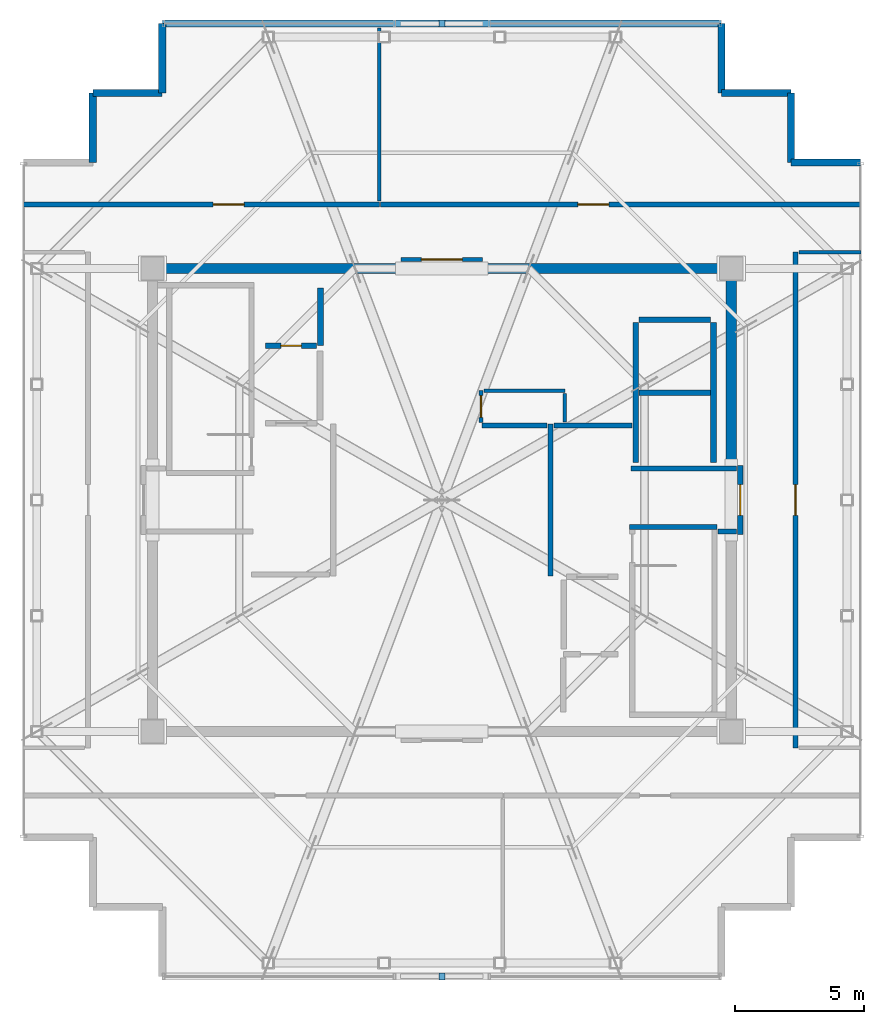
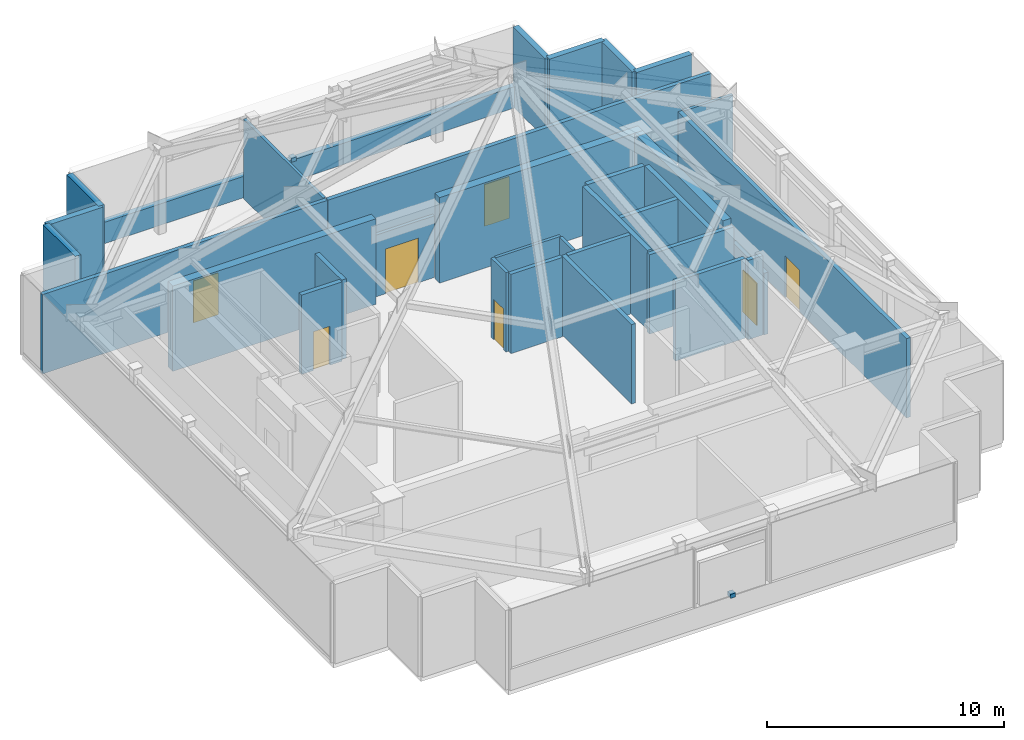
# One storey, part 16 of 17: 33 walls, 7 doors, 2 discrete accessories, 7 openings.
"""IFC4 building model written with IfcOpenShell, lengths in metres."""

import ifcopenshell
import ifcopenshell.guid

model = None  # the IFC model being written
_history = None  # IfcOwnerHistory: only IFC2X3 demands one
_inside = {}  # id of a spatial element -> (the spatial element, [elements in it])
_under = {}  # id of a project, library or spatial element -> (it, [spatial elements below it])
_declared = {}  # id of a project -> (the project, [libraries it declares])
_typed = {}  # id of a type object -> (the type object, [elements of that type])
_made_of = {}  # id of a material, layer set ... -> (it, [elements and type objects made of it])


def new_model(schema):
    """Start an empty IFC model of exactly this schema.

    Asked for "IFC4X3", IfcOpenShell would pick the latest addendum, in which some entities
    have other attributes; the version numbers below select the first issue.
    IFC2X3 requires an IfcOwnerHistory on every rooted entity: one is made here for all.
    """
    global model, _history
    if schema == "IFC4X3":
        model = ifcopenshell.file(schema_version=(4, 3, 0, 0))
    else:
        model = ifcopenshell.file(schema=schema)
    _inside.clear()
    _under.clear()
    _declared.clear()
    _typed.clear()
    _made_of.clear()
    _history = None
    if model.schema == "IFC2X3":
        org = make("IfcOrganization", Name="unknown")
        user = make(
            "IfcPersonAndOrganization",
            ThePerson=make("IfcPerson", FamilyName="unknown"),
            TheOrganization=org,
        )
        app = make(
            "IfcApplication",
            ApplicationDeveloper=org,
            Version="unknown",
            ApplicationFullName="unknown",
            ApplicationIdentifier="unknown",
        )
        _history = make(
            "IfcOwnerHistory",
            OwningUser=user,
            OwningApplication=app,
            ChangeAction="ADDED",
            CreationDate=0,
        )
    return model


def make(cls, **values):
    """One entity of the class cls with the attributes given. An attribute that is None is left unset."""
    return model.create_entity(
        cls, **{name: value for name, value in values.items() if value is not None}
    )


def rooted(cls, **values):
    """An entity with a GlobalId (a new one), such as an element, a storey or a relation."""
    return make(cls, GlobalId=ifcopenshell.guid.new(), OwnerHistory=_history, **values)


def si_unit(unit_type, name, prefix=None):
    """IfcSIUnit, for example si_unit("LENGTHUNIT", "METRE", prefix="MILLI")."""
    return make("IfcSIUnit", UnitType=unit_type, Prefix=prefix, Name=name)


def assignment(units):
    """IfcUnitAssignment: the units of a project."""
    return None if units is None else make("IfcUnitAssignment", Units=units)


def point(xyz):
    """IfcCartesianPoint."""
    return None if xyz is None else make("IfcCartesianPoint", Coordinates=xyz)


def direction(xyz):
    """IfcDirection."""
    return None if xyz is None else make("IfcDirection", DirectionRatios=xyz)


def frame(location, z_axis=None, x_axis=None):
    """IfcAxis2Placement3D, a coordinate frame: its origin and axes. An axis left out is left unset."""
    return make(
        "IfcAxis2Placement3D",
        Location=point(location),
        Axis=direction(z_axis),
        RefDirection=direction(x_axis),
    )


def frame_2d(location, x_axis=None):
    """IfcAxis2Placement2D, a coordinate frame in the plane: its origin and x axis."""
    return make(
        "IfcAxis2Placement2D", Location=point(location), RefDirection=direction(x_axis)
    )


def origin():
    """The frame at (0, 0, 0) with its axes left unset."""
    return frame((0.0, 0.0, 0.0))


def origin_2d():
    """The frame at (0, 0) in the plane with its x axis left unset."""
    return frame_2d((0.0, 0.0))


def place(relative_to, where):
    """IfcLocalPlacement: puts the frame where relative to a parent placement (None: the world)."""
    return make(
        "IfcLocalPlacement", PlacementRelTo=relative_to, RelativePlacement=where
    )


def context(
    kind, dimensions, precision=None, world=None, true_north=None, identifier=None
):
    """IfcGeometricRepresentationContext, for example the 3D "Model" context."""
    return make(
        "IfcGeometricRepresentationContext",
        ContextIdentifier=identifier,
        ContextType=kind,
        CoordinateSpaceDimension=dimensions,
        Precision=precision,
        WorldCoordinateSystem=world,
        TrueNorth=true_north,
    )


def subcontext(parent, identifier, kind, view, scale=None):
    """IfcGeometricRepresentationSubContext, for example "Body" below "Model"."""
    return make(
        "IfcGeometricRepresentationSubContext",
        ContextIdentifier=identifier,
        ContextType=kind,
        ParentContext=parent,
        TargetScale=scale,
        TargetView=view,
    )


def project(units=None, contexts=None):
    """IfcProject with its units and contexts."""
    return rooted(
        "IfcProject",
        Name="project",
        RepresentationContexts=contexts,
        UnitsInContext=assignment(units),
    )


def spatial(cls, under=None, at=None, **own):
    """A site, building, storey or space (cls), placed at a placement, below another one or the project."""
    s = rooted(cls, ObjectPlacement=at, **own)
    if under is not None:
        _under.setdefault(under.id(), (under, []))[1].append(s)
    return s


def profile(cls, at=None, kind="AREA", **sizes):
    """A parametric profile (cls). Its sizes go by their IFC names, for example OverallWidth=200.0."""
    return make(cls, ProfileType=kind, Position=at, **sizes)


def rectangle(**sizes):
    """IfcRectangleProfileDef."""
    return profile("IfcRectangleProfileDef", **sizes)


def extrude(swept, where, along, depth):
    """IfcExtrudedAreaSolid: the profile swept, set in the frame where, extruded along a direction by depth."""
    return make(
        "IfcExtrudedAreaSolid",
        SweptArea=swept,
        Position=where,
        ExtrudedDirection=direction(along),
        Depth=depth,
    )


def shape(context_of_items, identifier, shape_type, items):
    """IfcShapeRepresentation: the items that make up one representation, for example the "Body"."""
    return make(
        "IfcShapeRepresentation",
        ContextOfItems=context_of_items,
        RepresentationIdentifier=identifier,
        RepresentationType=shape_type,
        Items=items,
    )


def source(mapping_origin, context_of_items, identifier, shape_type, items):
    """IfcRepresentationMap: a shape defined once, which mapped items show again and again."""
    return make(
        "IfcRepresentationMap",
        MappingOrigin=mapping_origin,
        MappedRepresentation=shape(context_of_items, identifier, shape_type, items),
    )


def transform(
    local_origin,
    x_axis=None,
    y_axis=None,
    z_axis=None,
    scale=None,
    scale2=None,
    scale3=None,
    uniform=True,
):
    """IfcCartesianTransformationOperator3D, or its non-uniform kind. x_axis, y_axis, z_axis: its Axis1, 2, 3."""
    if uniform:
        return make(
            "IfcCartesianTransformationOperator3D",
            Axis1=direction(x_axis),
            Axis2=direction(y_axis),
            LocalOrigin=point(local_origin),
            Scale=scale,
            Axis3=direction(z_axis),
        )
    return make(
        "IfcCartesianTransformationOperator3DnonUniform",
        Axis1=direction(x_axis),
        Axis2=direction(y_axis),
        LocalOrigin=point(local_origin),
        Scale=scale,
        Axis3=direction(z_axis),
        Scale2=scale2,
        Scale3=scale3,
    )


def mapped(mapping_source, mapping_target):
    """IfcMappedItem: shows the shape of a source again, moved by a transform."""
    return make(
        "IfcMappedItem", MappingSource=mapping_source, MappingTarget=mapping_target
    )


def material(Name=None, Category=None):
    """IfcMaterial."""
    return make("IfcMaterial", Name=Name, Category=Category)


def layer(
    of_material, thickness, ventilated=None, Name=None, Category=None, Priority=None
):
    """IfcMaterialLayer: one layer of a wall or slab, of a material (None: an air gap)."""
    return make(
        "IfcMaterialLayer",
        Material=of_material,
        LayerThickness=thickness,
        IsVentilated=ventilated,
        Name=Name,
        Category=Category,
        Priority=Priority,
    )


def layer_set(layers, Name=None):
    """IfcMaterialLayerSet."""
    return make("IfcMaterialLayerSet", MaterialLayers=layers, LayerSetName=Name)


def made_of(thing, what):
    """Note that an element or type object is made of a material, layer set ...; save() writes the relation."""
    if what is not None:
        _made_of.setdefault(what.id(), (what, []))[1].append(thing)
    return thing


def type_object(cls, material=None, **own):
    """A type object (cls), such as IfcWallType, which elements share."""
    return made_of(rooted(cls, **own), material)


def element(
    cls,
    number,
    at=None,
    inside=None,
    cuts=None,
    type_object=None,
    material=None,
    context=None,
    identifier="Body",
    shape_type=None,
    held_by="IfcProductDefinitionShape",
    body=None,
    shapes=None,
    **own,
):
    """One element of the class cls, such as IfcWall. Its Tag is "e" and its number.

    at: its placement. inside: the storey or other place that contains it. cuts: it is an
    opening in that element (IfcRelVoidsElement). A single representation is given by context,
    identifier, shape_type and body (its items); several are given by shapes. held_by: the class
    of the entity that holds the representations. save() writes the other relations.
    """
    e = rooted(cls, Tag="e%d" % number, ObjectPlacement=at, **own)
    if body is not None:
        shapes = [shape(context, identifier, shape_type, body)]
    if shapes is not None:
        e.Representation = make(held_by, Representations=shapes)
    if inside is not None:
        _inside.setdefault(inside.id(), (inside, []))[1].append(e)
    if cuts is not None:
        rooted(
            "IfcRelVoidsElement", RelatingBuildingElement=cuts, RelatedOpeningElement=e
        )
    if type_object is not None:
        _typed.setdefault(type_object.id(), (type_object, []))[1].append(e)
    return made_of(e, material)


def fill(opening, filler):
    """IfcRelFillsElement: the door or window that sits in an opening."""
    return rooted(
        "IfcRelFillsElement",
        RelatingOpeningElement=opening,
        RelatedBuildingElement=filler,
    )


def aggregate(whole, parts):
    """IfcRelAggregates: a whole, such as a stair, and the parts it consists of."""
    return rooted("IfcRelAggregates", RelatingObject=whole, RelatedObjects=parts)


def save(model, path):
    """Write the relations noted so far, then the file.

    IfcRelAggregates (storeys below a building ...), IfcRelContainedInSpatialStructure (elements
    in a storey), IfcRelDefinesByType, IfcRelAssociatesMaterial and IfcRelDeclares: one each for
    every whole, place, type object, material and project.
    """
    for whole, parts in _under.values():
        aggregate(whole, parts)
    for where, things in _inside.values():
        rooted(
            "IfcRelContainedInSpatialStructure",
            RelatedElements=things,
            RelatingStructure=where,
        )
    for kind, things in _typed.values():
        rooted("IfcRelDefinesByType", RelatedObjects=things, RelatingType=kind)
    for what, things in _made_of.values():
        rooted("IfcRelAssociatesMaterial", RelatedObjects=things, RelatingMaterial=what)
    for by, libraries in _declared.values():
        rooted("IfcRelDeclares", RelatingContext=by, RelatedDefinitions=libraries)
    model.write(path)


model = new_model("IFC4")

# Units and contexts
model_context = context("Model", 3, precision=1e-05, world=origin(), true_north=direction((0.0, 1.0)))
body_context = subcontext(model_context, "Body", "Model", "MODEL_VIEW")
ifc_project = project(units=[si_unit("LENGTHUNIT", "METRE"), si_unit("AREAUNIT", "SQUARE_METRE"), si_unit("VOLUMEUNIT", "CUBIC_METRE"), si_unit("PLANEANGLEUNIT", "RADIAN"), si_unit("MASSUNIT", "GRAM", prefix="KILO")], contexts=[model_context])

# Site, building, storey
site_placement = place(None, origin())
site = spatial("IfcSite", under=ifc_project, at=site_placement, CompositionType="ELEMENT")
building_placement = place(site_placement, origin())
building = spatial("IfcBuilding", under=site, at=building_placement, Name="Nefas-Gora Pilgrimage Tower", CompositionType="ELEMENT")
storey_placement = place(building_placement, frame((0.0, 0.0, 367.39990234375)))
storey = spatial("IfcBuildingStorey", under=building, at=storey_placement, Name="L92", CompositionType="ELEMENT", Elevation=367.39990234375)

# Walls
ifc_material_1 = material(Name="Concrete C50/60", Category="concrete")
ifc_layer_1 = layer(ifc_material_1, 0.39990234375)
ifc_layer_set_1 = layer_set([ifc_layer_1], Name="Concrete C50/60")
wall_type_1 = type_object("IfcWallType", Name="SW-CORE-400", PredefinedType="SHEAR", material=ifc_layer_set_1)
shared_shape_1 = source(origin(), body_context, "Body", "SweptSolid", [
    extrude(rectangle(XDim=9.89990234375, YDim=0.39990234375, at=frame_2d((4.949951171875, 0.0))), origin(), (0.0, 0.0, 1.0), 4.400146484375),
])
for number, where, z_axis, x_axis, name in (
    (1, (-11.449951171875, 9.0, 0.0), (0.0, 0.0, 1.0), (1.0, 0.0, 0.0), "L92 Core Shear Wall N-West"),
    (2, (1.550048828125, 9.0, 0.0), (0.0, 0.0, 1.0), (1.0, 0.0, 0.0), "L92 Core Shear Wall N-East"),
):
    element("IfcWall", number, at=place(storey_placement, frame(where, z_axis=z_axis, x_axis=x_axis)), inside=storey, type_object=wall_type_1, Name=name, PredefinedType="SHEAR", context=body_context, shape_type="MappedRepresentation", body=[
        mapped(shared_shape_1, transform((0.0, 0.0, 0.0), x_axis=(1.0, 0.0, 0.0), y_axis=(0.0, 1.0, 0.0), z_axis=(0.0, 0.0, 1.0), scale=1.0)),
    ])
shared_shape_2 = source(origin(), body_context, "Body", "SweptSolid", [
    extrude(rectangle(XDim=7.449951171875, YDim=0.39990234375, at=frame_2d((3.72509765625, 0.0))), origin(), (0.0, 0.0, 1.0), 4.400146484375),
])
wall_1_placement = place(storey_placement, frame((11.25, 1.35009765625, 0.0), z_axis=(0.0, 0.0, 1.0), x_axis=(0.0, 1.0, 0.0)))
element("IfcWall", 3, at=wall_1_placement, inside=storey, type_object=wall_type_1, Name="L92 Core Shear Wall E-North", PredefinedType="SHEAR", context=body_context, shape_type="MappedRepresentation", body=[
    mapped(shared_shape_2, transform((0.0, 0.0, 0.0), x_axis=(1.0, 0.0, 0.0), y_axis=(0.0, 1.0, 0.0), z_axis=(0.0, 0.0, 1.0), scale=1.0)),
])
ifc_material_2 = material(Name="Precast concrete C45/55", Category="concrete")
ifc_layer_2 = layer(ifc_material_2, 0.280029296875)
ifc_layer_set_2 = layer_set([ifc_layer_2], Name="Precast concrete C45/55")
wall_type_2 = type_object("IfcWallType", Name="EW-PLANT-280", PredefinedType="SOLIDWALL", material=ifc_layer_set_2)
shared_shape_3 = source(origin(), body_context, "Body", "SweptSolid", [
    extrude(rectangle(XDim=2.699951171875, YDim=0.280029296875, at=frame_2d((1.35009765625, 0.0))), origin(), (0.0, 0.0, 1.0), 4.10009765625),
])
for number, where, z_axis, x_axis, name in (
    (4, (16.27001953125, 13.1201171875, 0.0), (0.0, 0.0, 1.0), (-1.0, 0.0, 0.0), "L92 Serrated Corner Shear Pier Wall 1"),
    (5, (13.570068359375, 13.1201171875, 0.0), (0.0, 0.0, 1.0), (0.0, 1.0, 0.0), "L92 Serrated Corner Shear Pier Wall 2"),
    (6, (13.570068359375, 15.820068359375, 0.0), (0.0, 0.0, 1.0), (-1.0, 0.0, 0.0), "L92 Serrated Corner Shear Pier Wall 3"),
    (7, (10.8701171875, 15.820068359375, 0.0), (0.0, 0.0, 1.0), (0.0, 1.0, 0.0), "L92 Serrated Corner Shear Pier Wall 4"),
    (8, (-10.8701171875, 18.52001953125, 0.0), (0.0, 0.0, 1.0), (0.0, -1.0, 0.0), "L92 Serrated Corner Shear Pier Wall 6"),
    (9, (-10.8701171875, 15.820068359375, 0.0), (0.0, 0.0, 1.0), (-1.0, 0.0, 0.0), "L92 Serrated Corner Shear Pier Wall 7"),
    (10, (-13.570068359375, 15.820068359375, 0.0), (0.0, 0.0, 1.0), (0.0, -1.0, 0.0), "L92 Serrated Corner Shear Pier Wall 8"),
):
    element("IfcWall", number, at=place(storey_placement, frame(where, z_axis=z_axis, x_axis=x_axis)), inside=storey, type_object=wall_type_2, Name=name, PredefinedType="SOLIDWALL", context=body_context, shape_type="MappedRepresentation", body=[
        mapped(shared_shape_3, transform((0.0, 0.0, 0.0), x_axis=(1.0, 0.0, 0.0), y_axis=(0.0, 1.0, 0.0), z_axis=(0.0, 0.0, 1.0), scale=1.0)),
    ])
shared_shape_4 = source(origin(), body_context, "Body", "SweptSolid", [
    extrude(rectangle(XDim=21.740234375, YDim=0.280029296875, at=frame_2d((10.8701171875, 0.0))), origin(), (0.0, 0.0, 1.0), 1.10009765625),
])
wall_2_placement = place(storey_placement, frame((10.8701171875, 18.52001953125, 0.0), z_axis=(0.0, 0.0, 1.0), x_axis=(-1.0, 0.0, 0.0)))
element("IfcWall", 11, at=wall_2_placement, inside=storey, type_object=wall_type_2, Name="L92 Plant Upstand Spandrel Wall 5", PredefinedType="SOLIDWALL", context=body_context, shape_type="MappedRepresentation", body=[
    mapped(shared_shape_4, transform((0.0, 0.0, 0.0), x_axis=(1.0, 0.0, 0.0), y_axis=(0.0, 1.0, 0.0), z_axis=(0.0, 0.0, 1.0), scale=1.0)),
])
ifc_material_3 = material(Name="Concrete C45/55", Category="concrete")
ifc_layer_3 = layer(ifc_material_3, 0.199951171875)
ifc_layer_set_3 = layer_set([ifc_layer_3], Name="Concrete C45/55")
wall_type_3 = type_object("IfcWallType", Name="IW-STAIR-200", PredefinedType="SOLIDWALL", material=ifc_layer_set_3)
shared_shape_5 = source(origin(), body_context, "Body", "SweptSolid", [
    extrude(rectangle(XDim=3.39990234375, YDim=0.199951171875, at=frame_2d((1.699951171875, 0.0))), origin(), (0.0, 0.0, 1.0), 4.10009765625),
])
wall_3_placement = place(storey_placement, frame((7.300048828125, -1.050048828125, 0.0), z_axis=(0.0, 0.0, 1.0), x_axis=(1.0, 0.0, 0.0)))
element("IfcWall", 12, at=wall_3_placement, inside=storey, type_object=wall_type_3, Name="L92 Stairwell Shear Wall ST-02-near", PredefinedType="SOLIDWALL", context=body_context, shape_type="MappedRepresentation", body=[
    mapped(shared_shape_5, transform((0.0, 0.0, 0.0), x_axis=(1.0, 0.0, 0.0), y_axis=(0.0, 1.0, 0.0), z_axis=(0.0, 0.0, 1.0), scale=1.0)),
])
ifc_material_4 = material(Name="Concrete C40/50", Category="concrete")
ifc_layer_4 = layer(ifc_material_4, 0.219970703125)
ifc_layer_set_4 = layer_set([ifc_layer_4], Name="Concrete C40/50")
wall_type_4 = type_object("IfcWallType", Name="IW-SHAFT-220", PredefinedType="SOLIDWALL", material=ifc_layer_set_4)
shared_shape_6 = source(origin(), body_context, "Body", "SweptSolid", [
    extrude(rectangle(XDim=5.449951171875, YDim=0.219970703125, at=frame_2d((2.72509765625, 0.0))), origin(), (0.0, 0.0, 1.0), 4.085205078125),
])
for number, where, z_axis, x_axis, name in (
    (13, (7.5400390625, 6.89990234375, 0.0), (0.0, 0.0, 1.0), (0.0, -1.0, 0.0), "L92 Hoistway Wall SL-01-02-W"),
    (14, (10.56005859375, 1.449951171875, 0.0), (0.0, 0.0, 1.0), (0.0, 1.0, 0.0), "L92 Hoistway Wall SL-01-02-E"),
):
    element("IfcWall", number, at=place(storey_placement, frame(where, z_axis=z_axis, x_axis=x_axis)), inside=storey, type_object=wall_type_4, Name=name, PredefinedType="SOLIDWALL", context=body_context, shape_type="MappedRepresentation", body=[
        mapped(shared_shape_6, transform((0.0, 0.0, 0.0), x_axis=(1.0, 0.0, 0.0), y_axis=(0.0, 1.0, 0.0), z_axis=(0.0, 0.0, 1.0), scale=1.0)),
    ])
shared_shape_7 = source(origin(), body_context, "Body", "SweptSolid", [
    extrude(rectangle(XDim=2.780029296875, YDim=0.219970703125, at=frame_2d((1.39013671875, 0.0))), origin(), (0.0, 0.0, 1.0), 4.085205078125),
])
for number, where, z_axis, x_axis, name in (
    (15, (7.659912109375, 4.175048828125, 0.0), (0.0, 0.0, 1.0), (1.0, 0.0, 0.0), "L92 Hoistway Wall SL-01-02-DIV"),
    (16, (10.43994140625, 7.010009765625, 0.0), (0.0, 0.0, 1.0), (-1.0, 0.0, 0.0), "L92 Hoistway Wall SL-02-N"),
):
    element("IfcWall", number, at=place(storey_placement, frame(where, z_axis=z_axis, x_axis=x_axis)), inside=storey, type_object=wall_type_4, Name=name, PredefinedType="SOLIDWALL", context=body_context, shape_type="MappedRepresentation", body=[
        mapped(shared_shape_7, transform((0.0, 0.0, 0.0), x_axis=(1.0, 0.0, 0.0), y_axis=(0.0, 1.0, 0.0), z_axis=(0.0, 0.0, 1.0), scale=1.0)),
    ])

# Wall, opening, door
ifc_material_5 = material(Name="Gypsum fire-rated shaftwall")
ifc_layer_5 = layer(ifc_material_5, 0.199951171875)
ifc_layer_set_5 = layer_set([ifc_layer_5], Name="Gypsum fire-rated shaftwall")
wall_type_5 = type_object("IfcWallType", Name="IW-FFLOB-200", PredefinedType="PARTITIONING", material=ifc_layer_set_5)
shared_shape_8 = source(origin(), body_context, "Body", "SweptSolid", [
    extrude(rectangle(XDim=2.7001953125, YDim=0.199951171875, at=frame_2d((1.35009765625, 0.0))), origin(), (0.0, 0.0, 1.0), 3.175048828125),
])
wall_4_placement = place(storey_placement, frame((11.60009765625, -1.35009765625, 0.0), z_axis=(0.0, 0.0, 1.0), x_axis=(0.0, 1.0, 0.0)))
wall_4 = element("IfcWall", 17, at=wall_4_placement, inside=storey, type_object=wall_type_5, Name="L92 FF Lobby East Portal Wall 10", PredefinedType="PARTITIONING", context=body_context, shape_type="MappedRepresentation", body=[
    mapped(shared_shape_8, transform((0.0, 0.0, 0.0), x_axis=(1.0, 0.0, 0.0), y_axis=(0.0, 1.0, 0.0), z_axis=(0.0, 0.0, 1.0), scale=1.0)),
])
opening_1_placement = place(wall_4_placement, frame((0.75, 0.0, 0.0)))
opening_1 = element("IfcOpeningElement", 18, at=opening_1_placement, cuts=wall_4, Name="Opening ID-FF1", PredefinedType="OPENING", context=body_context, shape_type="SweptSolid", body=[
    extrude(rectangle(XDim=1.199951171875, YDim=2.14990234375, at=frame_2d((0.60009765625, 1.074951171875))), frame((0.0, 0.10986328125, 0.0), z_axis=(0.0, -1.0, 0.0), x_axis=(1.0, 0.0, 0.0)), (0.0, 0.0, 1.0), 0.219970703125),
])
ifc_material_6 = material(Name="Smoke-sealed steel firefighting lobby door", Category="steel")
door_type_1 = type_object("IfcDoorType", Name="DR-INT-FFLOB-1200", OperationType="NOTDEFINED", PredefinedType="DOOR", material=ifc_material_6)
shared_shape_9 = source(origin(), body_context, "Body", "SweptSolid", [
    extrude(rectangle(XDim=1.199951171875, YDim=2.14990234375, at=frame_2d((0.60009765625, 1.074951171875))), frame((0.0, 0.02490234375, 0.0), z_axis=(0.0, -1.0, 0.0), x_axis=(1.0, 0.0, 0.0)), (0.0, 0.0, 1.0), 0.050048828125),
])
door_1_placement = place(opening_1_placement, origin())
door_1 = element("IfcDoor", 19, at=door_1_placement, inside=storey, type_object=door_type_1, Name="L92 FF Lobby East Portal Door 4", OperationType="SINGLE_SWING_RIGHT", OverallHeight=2.14990234375, OverallWidth=1.199951171875, PredefinedType="DOOR", context=body_context, shape_type="MappedRepresentation", body=[
    mapped(shared_shape_9, transform((0.0, 0.0, 0.0), x_axis=(1.0, 0.0, 0.0), y_axis=(0.0, 1.0, 0.0), z_axis=(0.0, 0.0, 1.0), scale=1.0)),
])
fill(opening_1, door_1)

ifc_material_7 = material(Name="Gypsum acoustic stud partition")
ifc_layer_6 = layer(ifc_material_7, 0.159912109375)
ifc_layer_set_6 = layer_set([ifc_layer_6], Name="Gypsum acoustic stud partition")
wall_type_6 = type_object("IfcWallType", Name="IW-CORR-160", PredefinedType="PARTITIONING", material=ifc_layer_set_6)
shared_shape_10 = source(origin(), body_context, "Body", "SweptSolid", [
    extrude(rectangle(XDim=3.16015625, YDim=0.159912109375, at=frame_2d((1.580078125, 0.0))), origin(), (0.0, 0.0, 1.0), 3.175048828125),
])
wall_5_placement = place(storey_placement, frame((-1.580078125, 9.35009765625, 0.0), z_axis=(0.0, 0.0, 1.0), x_axis=(1.0, 0.0, 0.0)))
wall_5 = element("IfcWall", 20, at=wall_5_placement, inside=storey, type_object=wall_type_6, Name="L92 Central Lift Lobby North Portal Wall 16", PredefinedType="PARTITIONING", context=body_context, shape_type="MappedRepresentation", body=[
    mapped(shared_shape_10, transform((0.0, 0.0, 0.0), x_axis=(1.0, 0.0, 0.0), y_axis=(0.0, 1.0, 0.0), z_axis=(0.0, 0.0, 1.0), scale=1.0)),
])
opening_2_placement = place(wall_5_placement, frame((0.780029296875, 0.0, 0.0)))
opening_2 = element("IfcOpeningElement", 21, at=opening_2_placement, cuts=wall_5, Name="Opening ID-HL1", PredefinedType="OPENING", context=body_context, shape_type="SweptSolid", body=[
    extrude(rectangle(XDim=1.60009765625, YDim=2.300048828125, at=frame_2d((0.800048828125, 1.14990234375))), frame((0.0, 0.08984375, 0.0), z_axis=(0.0, -1.0, 0.0), x_axis=(1.0, 0.0, 0.0)), (0.0, 0.0, 1.0), 0.179931640625),
])
ifc_material_8 = material(Name="Double acoustic timber assembly hall door", Category="wood")
door_type_2 = type_object("IfcDoorType", Name="DR-INT-HALL-1600", OperationType="DOUBLE_DOOR_SINGLE_SWING", PredefinedType="DOOR", material=ifc_material_8)
shared_shape_11 = source(origin(), body_context, "Body", "SweptSolid", [
    extrude(rectangle(XDim=1.60009765625, YDim=2.300048828125, at=frame_2d((0.800048828125, 1.14990234375))), frame((0.0, 0.02490234375, 0.0), z_axis=(0.0, -1.0, 0.0), x_axis=(1.0, 0.0, 0.0)), (0.0, 0.0, 1.0), 0.050048828125),
])
door_2_placement = place(opening_2_placement, origin())
door_2 = element("IfcDoor", 22, at=door_2_placement, inside=storey, type_object=door_type_2, Name="L92 Central Lift Lobby North Portal Door 5", OperationType="DOUBLE_DOOR_SINGLE_SWING", OverallHeight=2.300048828125, OverallWidth=1.60009765625, PredefinedType="DOOR", context=body_context, shape_type="MappedRepresentation", body=[
    mapped(shared_shape_11, transform((0.0, 0.0, 0.0), x_axis=(1.0, 0.0, 0.0), y_axis=(0.0, 1.0, 0.0), z_axis=(0.0, 0.0, 1.0), scale=1.0)),
])
fill(opening_2, door_2)

# Wall
shared_shape_12 = source(origin(), body_context, "Body", "SweptSolid", [
    extrude(rectangle(XDim=2.25, YDim=0.219970703125, at=frame_2d((1.125, 0.0))), origin(), (0.0, 0.0, 1.0), 4.085205078125),
])
wall_6_placement = place(storey_placement, frame((-4.719970703125, 6.0, 0.0), z_axis=(0.0, 0.0, 1.0), x_axis=(0.0, 1.0, 0.0)))
element("IfcWall", 23, at=wall_6_placement, inside=storey, type_object=wall_type_4, Name="L92 Riser Shaft Wall 1", PredefinedType="SOLIDWALL", context=body_context, shape_type="MappedRepresentation", body=[
    mapped(shared_shape_12, transform((0.0, 0.0, 0.0), x_axis=(1.0, 0.0, 0.0), y_axis=(0.0, 1.0, 0.0), z_axis=(0.0, 0.0, 1.0), scale=1.0)),
])

# Wall, opening, door
shared_shape_13 = source(origin(), body_context, "Body", "SweptSolid", [
    extrude(rectangle(XDim=1.97998046875, YDim=0.219970703125, at=frame_2d((0.989990234375, 0.0))), origin(), (0.0, 0.0, 1.0), 4.085205078125),
])
wall_7_placement = place(storey_placement, frame((-6.85009765625, 6.0, 0.0), z_axis=(0.0, 0.0, 1.0), x_axis=(1.0, 0.0, 0.0)))
wall_7 = element("IfcWall", 24, at=wall_7_placement, inside=storey, type_object=wall_type_4, Name="L92 Riser Shaft Wall 2", PredefinedType="SOLIDWALL", context=body_context, shape_type="MappedRepresentation", body=[
    mapped(shared_shape_13, transform((0.0, 0.0, 0.0), x_axis=(1.0, 0.0, 0.0), y_axis=(0.0, 1.0, 0.0), z_axis=(0.0, 0.0, 1.0), scale=1.0)),
])
opening_3_placement = place(wall_7_placement, frame((0.590087890625, 0.0, 0.0)))
opening_3 = element("IfcOpeningElement", 25, at=opening_3_placement, cuts=wall_7, Name="Opening ID-TR1", PredefinedType="OPENING", context=body_context, shape_type="SweptSolid", body=[
    extrude(rectangle(XDim=0.800048828125, YDim=2.0, at=frame_2d((0.39990234375, 1.0))), frame((0.0, 0.119873046875, 0.0), z_axis=(0.0, -1.0, 0.0), x_axis=(1.0, 0.0, 0.0)), (0.0, 0.0, 1.0), 0.239990234375),
])
ifc_material_9 = material(Name="Riser maintenance fire access door")
door_type_3 = type_object("IfcDoorType", Name="DR-INT-TRAP-800", OperationType="NOTDEFINED", PredefinedType="TRAPDOOR", material=ifc_material_9)
shared_shape_14 = source(origin(), body_context, "Body", "SweptSolid", [
    extrude(rectangle(XDim=0.800048828125, YDim=2.0, at=frame_2d((0.39990234375, 1.0))), frame((0.0, 0.02490234375, 0.0), z_axis=(0.0, -1.0, 0.0), x_axis=(1.0, 0.0, 0.0)), (0.0, 0.0, 1.0), 0.050048828125),
])
door_3_placement = place(opening_3_placement, origin())
door_3 = element("IfcDoor", 26, at=door_3_placement, inside=storey, type_object=door_type_3, Name="L92 Riser Shaft Door 1", OperationType="SINGLE_SWING_LEFT", OverallHeight=2.0, OverallWidth=0.800048828125, PredefinedType="TRAPDOOR", context=body_context, shape_type="MappedRepresentation", body=[
    mapped(shared_shape_14, transform((0.0, 0.0, 0.0), x_axis=(1.0, 0.0, 0.0), y_axis=(0.0, 1.0, 0.0), z_axis=(0.0, 0.0, 1.0), scale=1.0)),
])
fill(opening_3, door_3)

# Walls
shared_shape_15 = source(origin(), body_context, "Body", "SweptSolid", [
    extrude(rectangle(XDim=5.89990234375, YDim=0.199951171875, at=frame_2d((2.949951171875, 0.0))), origin(), (0.0, 0.0, 1.0), 4.085205078125),
])
wall_8_placement = place(storey_placement, frame((4.219970703125, -2.949951171875, 0.0), z_axis=(0.0, 0.0, 1.0), x_axis=(0.0, 1.0, 0.0)))
element("IfcWall", 27, at=wall_8_placement, inside=storey, type_object=wall_type_5, Name="L92 FF Lobby East Inner Wall Wall 11", PredefinedType="PARTITIONING", context=body_context, shape_type="MappedRepresentation", body=[
    mapped(shared_shape_15, transform((0.0, 0.0, 0.0), x_axis=(1.0, 0.0, 0.0), y_axis=(0.0, 1.0, 0.0), z_axis=(0.0, 0.0, 1.0), scale=1.0)),
])
shared_shape_16 = source(origin(), body_context, "Body", "SweptSolid", [
    extrude(rectangle(XDim=3.039794921875, YDim=0.199951171875, at=frame_2d((1.52001953125, 0.0))), origin(), (0.0, 0.0, 1.0), 4.085205078125),
])
wall_9_placement = place(storey_placement, frame((4.360107421875, 2.89990234375, 0.0), z_axis=(0.0, 0.0, 1.0), x_axis=(1.0, 0.0, 0.0)))
element("IfcWall", 28, at=wall_9_placement, inside=storey, type_object=wall_type_5, Name="L92 FF Lobby East North Wall Wall 13", PredefinedType="PARTITIONING", context=body_context, shape_type="MappedRepresentation", body=[
    mapped(shared_shape_16, transform((0.0, 0.0, 0.0), x_axis=(1.0, 0.0, 0.0), y_axis=(0.0, 1.0, 0.0), z_axis=(0.0, 0.0, 1.0), scale=1.0)),
])
shared_shape_17 = source(origin(), body_context, "Body", "SweptSolid", [
    extrude(rectangle(XDim=0.719970703125, YDim=0.199951171875, at=frame_2d((0.35986328125, 0.0))), origin(), (0.0, 0.0, 1.0), 4.085205078125),
])
wall_10_placement = place(storey_placement, frame((10.739990234375, -1.219970703125, 0.0), z_axis=(0.0, 0.0, 1.0), x_axis=(1.0, 0.0, 0.0)))
element("IfcWall", 29, at=wall_10_placement, inside=storey, type_object=wall_type_5, Name="L92 FF Lobby East Throat S Wall 15", PredefinedType="PARTITIONING", context=body_context, shape_type="MappedRepresentation", body=[
    mapped(shared_shape_17, transform((0.0, 0.0, 0.0), x_axis=(1.0, 0.0, 0.0), y_axis=(0.0, 1.0, 0.0), z_axis=(0.0, 0.0, 1.0), scale=1.0)),
])
shared_shape_18 = source(origin(), body_context, "Body", "SweptSolid", [
    extrude(rectangle(XDim=4.10986328125, YDim=0.199951171875, at=frame_2d((2.054931640625, 0.0))), origin(), (0.0, 0.0, 1.0), 4.085205078125),
])
wall_11_placement = place(storey_placement, frame((7.35009765625, 1.219970703125, 0.0), z_axis=(0.0, 0.0, 1.0), x_axis=(1.0, 0.0, 0.0)))
element("IfcWall", 30, at=wall_11_placement, inside=storey, type_object=wall_type_5, Name="L92 FF Lobby East Throat N Wall 14", PredefinedType="PARTITIONING", context=body_context, shape_type="MappedRepresentation", body=[
    mapped(shared_shape_18, transform((0.0, 0.0, 0.0), x_axis=(1.0, 0.0, 0.0), y_axis=(0.0, 1.0, 0.0), z_axis=(0.0, 0.0, 1.0), scale=1.0)),
])
shared_shape_19 = source(origin(), body_context, "Body", "SweptSolid", [
    extrude(rectangle(XDim=2.52001953125, YDim=0.199951171875, at=frame_2d((1.260009765625, 0.0))), origin(), (0.0, 0.0, 1.0), 4.085205078125),
])
wall_12_placement = place(storey_placement, frame((1.56005859375, 2.89990234375, 0.0), z_axis=(0.0, 0.0, 1.0), x_axis=(1.0, 0.0, 0.0)))
element("IfcWall", 31, at=wall_12_placement, inside=storey, type_object=wall_type_5, Name="L92 FF Lobby East North Wall Wall 12", PredefinedType="PARTITIONING", context=body_context, shape_type="MappedRepresentation", body=[
    mapped(shared_shape_19, transform((0.0, 0.0, 0.0), x_axis=(1.0, 0.0, 0.0), y_axis=(0.0, 1.0, 0.0), z_axis=(0.0, 0.0, 1.0), scale=1.0)),
])

# Wall, opening, door
shared_shape_20 = source(origin(), body_context, "Body", "SweptSolid", [
    extrude(rectangle(XDim=1.25, YDim=0.159912109375, at=frame_2d((0.625, 0.0))), origin(), (0.0, 0.0, 1.0), 4.085205078125),
])
wall_13_placement = place(storey_placement, frame((1.52001953125, 3.010009765625, 0.0), z_axis=(0.0, 0.0, 1.0), x_axis=(0.0, 1.0, 0.0)))
wall_13 = element("IfcWall", 32, at=wall_13_placement, inside=storey, type_object=wall_type_6, Name="L92 Core Communications Room Wall 18", PredefinedType="PARTITIONING", context=body_context, shape_type="MappedRepresentation", body=[
    mapped(shared_shape_20, transform((0.0, 0.0, 0.0), x_axis=(1.0, 0.0, 0.0), y_axis=(0.0, 1.0, 0.0), z_axis=(0.0, 0.0, 1.0), scale=1.0)),
])
opening_4_placement = place(wall_13_placement, frame((0.199951171875, 0.0, 0.0)))
opening_4 = element("IfcOpeningElement", 33, at=opening_4_placement, cuts=wall_13, Name="Opening ID-BT1", PredefinedType="OPENING", context=body_context, shape_type="SweptSolid", body=[
    extrude(rectangle(XDim=0.85009765625, YDim=2.10009765625, at=frame_2d((0.425048828125, 1.050048828125))), frame((0.0, 0.08984375, 0.0), z_axis=(0.0, -1.0, 0.0), x_axis=(1.0, 0.0, 0.0)), (0.0, 0.0, 1.0), 0.179931640625),
])
ifc_material_10 = material(Name="Moisture-resistant fire-rated timber door", Category="wood")
door_type_4 = type_object("IfcDoorType", Name="DR-INT-BATH-850", OperationType="NOTDEFINED", PredefinedType="DOOR", material=ifc_material_10)
shared_shape_21 = source(origin(), body_context, "Body", "SweptSolid", [
    extrude(rectangle(XDim=0.85009765625, YDim=2.10009765625, at=frame_2d((0.425048828125, 1.050048828125))), frame((0.0, 0.02490234375, 0.0), z_axis=(0.0, -1.0, 0.0), x_axis=(1.0, 0.0, 0.0)), (0.0, 0.0, 1.0), 0.050048828125),
])
door_4_placement = place(opening_4_placement, origin())
door_4 = element("IfcDoor", 34, at=door_4_placement, inside=storey, type_object=door_type_4, Name="L92 Core Communications Room Door 7", OperationType="SINGLE_SWING_LEFT", OverallHeight=2.10009765625, OverallWidth=0.85009765625, PredefinedType="DOOR", context=body_context, shape_type="MappedRepresentation", body=[
    mapped(shared_shape_21, transform((0.0, 0.0, 0.0), x_axis=(1.0, 0.0, 0.0), y_axis=(0.0, 1.0, 0.0), z_axis=(0.0, 0.0, 1.0), scale=1.0)),
])
fill(opening_4, door_4)

# Walls
ifc_material_11 = material(Name="Gypsum twin-stud partition")
ifc_layer_7 = layer(ifc_material_11, 0.139892578125)
ifc_layer_set_7 = layer_set([ifc_layer_7], Name="Gypsum twin-stud partition")
wall_type_7 = type_object("IfcWallType", Name="IW-UNIT-140", PredefinedType="PARTITIONING", material=ifc_layer_set_7)
shared_shape_22 = source(origin(), body_context, "Body", "SweptSolid", [
    extrude(rectangle(XDim=3.150146484375, YDim=0.139892578125, at=frame_2d((1.5751953125, 0.0))), origin(), (0.0, 0.0, 1.0), 4.085205078125),
])
wall_14_placement = place(storey_placement, frame((1.639892578125, 4.25, 0.0), z_axis=(0.0, 0.0, 1.0), x_axis=(1.0, 0.0, 0.0)))
element("IfcWall", 35, at=wall_14_placement, inside=storey, type_object=wall_type_7, Name="L92 Core Communications Room Partition Wall 19", PredefinedType="PARTITIONING", context=body_context, shape_type="MappedRepresentation", body=[
    mapped(shared_shape_22, transform((0.0, 0.0, 0.0), x_axis=(1.0, 0.0, 0.0), y_axis=(0.0, 1.0, 0.0), z_axis=(0.0, 0.0, 1.0), scale=1.0)),
])
shared_shape_23 = source(origin(), body_context, "Body", "SweptSolid", [
    extrude(rectangle(XDim=1.099853515625, YDim=0.139892578125, at=frame_2d((0.5498046875, 0.0))), origin(), (0.0, 0.0, 1.0), 4.085205078125),
])
wall_15_placement = place(storey_placement, frame((4.780029296875, 3.0400390625, 0.0), z_axis=(0.0, 0.0, 1.0), x_axis=(0.0, 1.0, 0.0)))
element("IfcWall", 36, at=wall_15_placement, inside=storey, type_object=wall_type_7, Name="L92 Core Communications Room Partition Wall 20", PredefinedType="PARTITIONING", context=body_context, shape_type="MappedRepresentation", body=[
    mapped(shared_shape_23, transform((0.0, 0.0, 0.0), x_axis=(1.0, 0.0, 0.0), y_axis=(0.0, 1.0, 0.0), z_axis=(0.0, 0.0, 1.0), scale=1.0)),
])

# Wall, opening, door
ifc_layer_8 = layer(ifc_material_4, 0.199951171875)
ifc_layer_set_8 = layer_set([ifc_layer_8], Name="Concrete C40/50")
wall_type_8 = type_object("IfcWallType", Name="IW-PLANT-200", PredefinedType="SOLIDWALL", material=ifc_layer_set_8)
shared_shape_24 = source(origin(), body_context, "Body", "SweptSolid", [
    extrude(rectangle(XDim=19.27978515625, YDim=0.199951171875, at=frame_2d((9.639892578125, 0.0))), origin(), (0.0, 0.0, 1.0), 4.085205078125),
])
wall_16_placement = place(storey_placement, frame((13.75, -9.639892578125, 0.0), z_axis=(0.0, 0.0, 1.0), x_axis=(0.0, 1.0, 0.0)))
wall_16 = element("IfcWall", 37, at=wall_16_placement, inside=storey, type_object=wall_type_8, Name="L92 Tower Elevator Machine Plant Room Partition Wall 24", PredefinedType="SOLIDWALL", context=body_context, shape_type="MappedRepresentation", body=[
    mapped(shared_shape_24, transform((0.0, 0.0, 0.0), x_axis=(1.0, 0.0, 0.0), y_axis=(0.0, 1.0, 0.0), z_axis=(0.0, 0.0, 1.0), scale=1.0)),
])
opening_5_placement = place(wall_16_placement, frame((9.0400390625, 0.0, 0.0)))
opening_5 = element("IfcOpeningElement", 38, at=opening_5_placement, cuts=wall_16, Name="Opening ID-PL1", PredefinedType="OPENING", context=body_context, shape_type="SweptSolid", body=[
    extrude(rectangle(XDim=1.199951171875, YDim=2.14990234375, at=frame_2d((0.60009765625, 1.074951171875))), frame((0.0, 0.10986328125, 0.0), z_axis=(0.0, -1.0, 0.0), x_axis=(1.0, 0.0, 0.0)), (0.0, 0.0, 1.0), 0.219970703125),
])
ifc_material_12 = material(Name="Heavy-duty steel plant room fire door", Category="steel")
door_type_5 = type_object("IfcDoorType", Name="DR-INT-PLANT-1200", OperationType="NOTDEFINED", PredefinedType="DOOR", material=ifc_material_12)
door_5_placement = place(opening_5_placement, origin())
door_5 = element("IfcDoor", 39, at=door_5_placement, inside=storey, type_object=door_type_5, Name="L92 Tower Elevator Machine Plant Room Door 9", OperationType="SINGLE_SWING_LEFT", OverallHeight=2.14990234375, OverallWidth=1.199951171875, PredefinedType="DOOR", context=body_context, shape_type="MappedRepresentation", body=[
    mapped(shared_shape_9, transform((0.0, 0.0, 0.0), x_axis=(1.0, 0.0, 0.0), y_axis=(0.0, 1.0, 0.0), z_axis=(0.0, 0.0, 1.0), scale=1.0)),
])
fill(opening_5, door_5)

# Wall
shared_shape_25 = source(origin(), body_context, "Body", "SweptSolid", [
    extrude(rectangle(XDim=2.400146484375, YDim=0.139892578125, at=frame_2d((1.2001953125, 0.0))), origin(), (0.0, 0.0, 1.0), 4.085205078125),
])
wall_17_placement = place(storey_placement, frame((13.889892578125, 9.6298828125, 0.0), z_axis=(0.0, 0.0, 1.0), x_axis=(1.0, 0.0, 0.0)))
element("IfcWall", 40, at=wall_17_placement, inside=storey, type_object=wall_type_7, Name="L92 Tower Elevator Machine Plant Room Partition Wall 25", PredefinedType="PARTITIONING", context=body_context, shape_type="MappedRepresentation", body=[
    mapped(shared_shape_25, transform((0.0, 0.0, 0.0), x_axis=(1.0, 0.0, 0.0), y_axis=(0.0, 1.0, 0.0), z_axis=(0.0, 0.0, 1.0), scale=1.0)),
])

# Wall, opening, door
shared_shape_26 = source(origin(), body_context, "Body", "SweptSolid", [
    extrude(rectangle(XDim=13.8701171875, YDim=0.199951171875, at=frame_2d((6.93505859375, 0.0))), origin(), (0.0, 0.0, 1.0), 4.085205078125),
])
wall_18_placement = place(storey_placement, frame((-16.2900390625, 11.489990234375, 0.0), z_axis=(0.0, 0.0, 1.0), x_axis=(1.0, 0.0, 0.0)))
wall_18 = element("IfcWall", 41, at=wall_18_placement, inside=storey, type_object=wall_type_8, Name="L92 Water-Cooled Chiller Plant Room Partition Wall 27", PredefinedType="SOLIDWALL", context=body_context, shape_type="MappedRepresentation", body=[
    mapped(shared_shape_26, transform((0.0, 0.0, 0.0), x_axis=(1.0, 0.0, 0.0), y_axis=(0.0, 1.0, 0.0), z_axis=(0.0, 0.0, 1.0), scale=1.0)),
])
opening_6_placement = place(wall_18_placement, frame((7.401123046875, 0.0, 0.0)))
opening_6 = element("IfcOpeningElement", 42, at=opening_6_placement, cuts=wall_18, Name="Opening ID-PL1", PredefinedType="OPENING", context=body_context, shape_type="SweptSolid", body=[
    extrude(rectangle(XDim=1.199951171875, YDim=2.14990234375, at=frame_2d((0.60009765625, 1.074951171875))), frame((0.0, 0.10986328125, 0.0), z_axis=(0.0, -1.0, 0.0), x_axis=(1.0, 0.0, 0.0)), (0.0, 0.0, 1.0), 0.219970703125),
])
door_6_placement = place(opening_6_placement, origin())
door_6 = element("IfcDoor", 43, at=door_6_placement, inside=storey, type_object=door_type_5, Name="L92 Water-Cooled Chiller Plant Room Door 10", OperationType="SINGLE_SWING_RIGHT", OverallHeight=2.14990234375, OverallWidth=1.199951171875, PredefinedType="DOOR", context=body_context, shape_type="MappedRepresentation", body=[
    mapped(shared_shape_9, transform((0.0, 0.0, 0.0), x_axis=(1.0, 0.0, 0.0), y_axis=(0.0, 1.0, 0.0), z_axis=(0.0, 0.0, 1.0), scale=1.0)),
])
fill(opening_6, door_6)

# Wall
shared_shape_27 = source(origin(), body_context, "Body", "SweptSolid", [
    extrude(rectangle(XDim=6.710205078125, YDim=0.139892578125, at=frame_2d((3.35498046875, 0.0))), origin(), (0.0, 0.0, 1.0), 4.085205078125),
])
wall_19_placement = place(storey_placement, frame((-2.429931640625, 11.6298828125, 0.0), z_axis=(0.0, 0.0, 1.0), x_axis=(0.0, 1.0, 0.0)))
element("IfcWall", 44, at=wall_19_placement, inside=storey, type_object=wall_type_7, Name="L92 Water-Cooled Chiller Plant Room Partition Wall 28", PredefinedType="PARTITIONING", context=body_context, shape_type="MappedRepresentation", body=[
    mapped(shared_shape_27, transform((0.0, 0.0, 0.0), x_axis=(1.0, 0.0, 0.0), y_axis=(0.0, 1.0, 0.0), z_axis=(0.0, 0.0, 1.0), scale=1.0)),
])

# Wall, opening, door
shared_shape_28 = source(origin(), body_context, "Body", "SweptSolid", [
    extrude(rectangle(XDim=18.669921875, YDim=0.199951171875, at=frame_2d((9.3349609375, 0.0))), origin(), (0.0, 0.0, 1.0), 4.085205078125),
])
wall_20_placement = place(storey_placement, frame((-2.3798828125, 11.489990234375, 0.0), z_axis=(0.0, 0.0, 1.0), x_axis=(1.0, 0.0, 0.0)))
wall_20 = element("IfcWall", 45, at=wall_20_placement, inside=storey, type_object=wall_type_8, Name="L92 High-Altitude Heat-Recovery AHU Plant Room Partition Wall 29", PredefinedType="SOLIDWALL", context=body_context, shape_type="MappedRepresentation", body=[
    mapped(shared_shape_28, transform((0.0, 0.0, 0.0), x_axis=(1.0, 0.0, 0.0), y_axis=(0.0, 1.0, 0.0), z_axis=(0.0, 0.0, 1.0), scale=1.0)),
])
opening_7_placement = place(wall_20_placement, frame((7.6689453125, 0.0, 0.0)))
opening_7 = element("IfcOpeningElement", 46, at=opening_7_placement, cuts=wall_20, Name="Opening ID-PL1", PredefinedType="OPENING", context=body_context, shape_type="SweptSolid", body=[
    extrude(rectangle(XDim=1.199951171875, YDim=2.14990234375, at=frame_2d((0.60009765625, 1.074951171875))), frame((0.0, 0.10986328125, 0.0), z_axis=(0.0, -1.0, 0.0), x_axis=(1.0, 0.0, 0.0)), (0.0, 0.0, 1.0), 0.219970703125),
])
door_7_placement = place(opening_7_placement, origin())
door_7 = element("IfcDoor", 47, at=door_7_placement, inside=storey, type_object=door_type_5, Name="L92 High-Altitude Heat-Recovery AHU Plant Room Door 11", OperationType="SINGLE_SWING_LEFT", OverallHeight=2.14990234375, OverallWidth=1.199951171875, PredefinedType="DOOR", context=body_context, shape_type="MappedRepresentation", body=[
    mapped(shared_shape_9, transform((0.0, 0.0, 0.0), x_axis=(1.0, 0.0, 0.0), y_axis=(0.0, 1.0, 0.0), z_axis=(0.0, 0.0, 1.0), scale=1.0)),
])
fill(opening_7, door_7)

# Discrete accessories
ifc_material_13 = material(Name="Hot-dip galvanised steel S355", Category="steel")
discrete_accessory_type = type_object("IfcDiscreteAccessoryType", Name="ACC-BRACKET-STL", PredefinedType="BRACKET", material=ifc_material_13)
shared_shape_29 = source(origin(), body_context, "Body", "SweptSolid", [
    extrude(rectangle(XDim=0.239990234375, YDim=0.280029296875, at=origin_2d()), origin(), (0.0, 0.0, 1.0), 0.199951171875),
])
for number, where, z_axis, x_axis, name in (
    (48, (0.0, 18.52001953125, 1.0), (0.0, 0.0, 1.0), (1.0, 0.0, 0.0), "L92 Louvre Support Bracket 5"),
    (49, (0.0, -18.52001953125, 1.0), (0.0, 0.0, 1.0), (1.0, 0.0, 0.0), "L92 Louvre Support Bracket 14"),
):
    element("IfcDiscreteAccessory", number, at=place(storey_placement, frame(where, z_axis=z_axis, x_axis=x_axis)), inside=storey, type_object=discrete_accessory_type, Name=name, PredefinedType="BRACKET", context=body_context, shape_type="MappedRepresentation", body=[
        mapped(shared_shape_29, transform((0.0, 0.0, 0.0), x_axis=(1.0, 0.0, 0.0), y_axis=(0.0, 1.0, 0.0), z_axis=(0.0, 0.0, 1.0), scale=1.0)),
    ])

save(model, "model.ifc")
